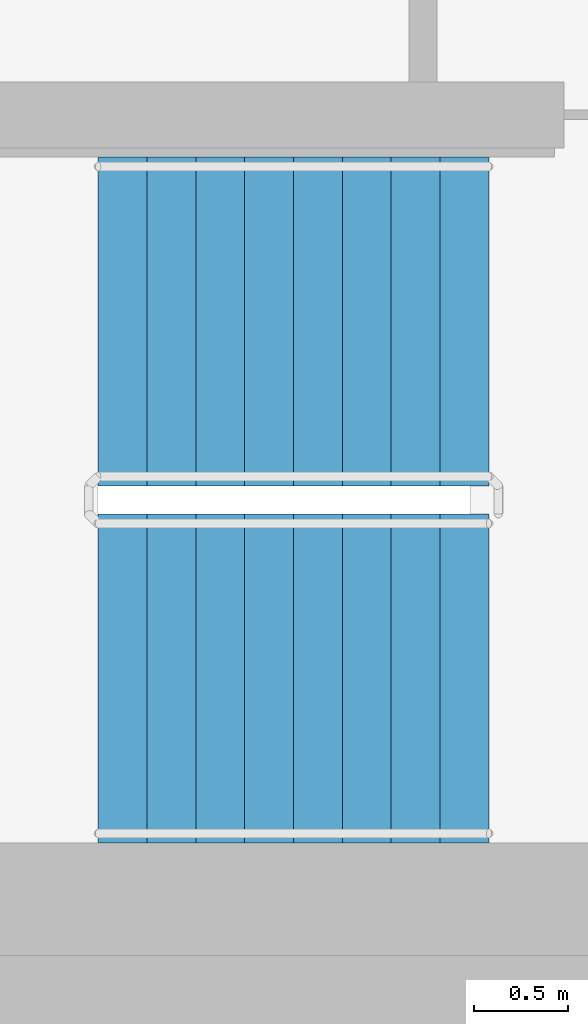
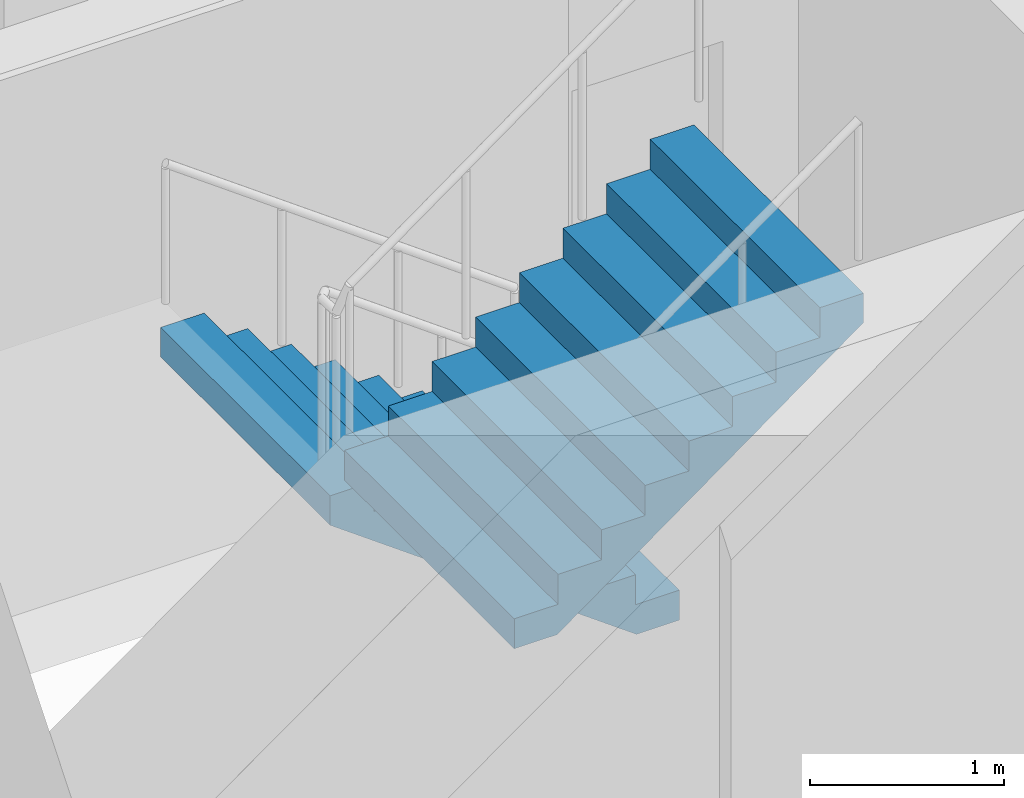
# One storey, part 12 of 18: 2 stair flights, 1 element without a shape of its own.
"""IFC4 building model written with IfcOpenShell, lengths in metres."""

from ifc_helpers import new_model, si_unit, direction, frame, origin, place, context, subcontext, project, spatial, faceted_brep, material, type_object, element, aggregate, save


model = new_model("IFC4")

# Units and contexts
model_context = context("Model", 3, precision=1e-05, world=origin(), true_north=direction((0.0, 1.0)))
body_context = subcontext(model_context, "Body", "Model", "MODEL_VIEW")
ifc_project = project(units=[si_unit("LENGTHUNIT", "METRE"), si_unit("AREAUNIT", "SQUARE_METRE"), si_unit("VOLUMEUNIT", "CUBIC_METRE"), si_unit("PLANEANGLEUNIT", "RADIAN"), si_unit("MASSUNIT", "GRAM", prefix="KILO")], contexts=[model_context])

# Site, building, storey
site_placement = place(None, origin())
site = spatial("IfcSite", under=ifc_project, at=site_placement, CompositionType="ELEMENT")
building_placement = place(site_placement, origin())
building = spatial("IfcBuilding", under=site, at=building_placement, Name="Ipe Terrace Towers", CompositionType="ELEMENT")
storey_placement = place(building_placement, frame((0.0, 0.0, 199.39990234375)))
storey = spatial("IfcBuildingStorey", under=building, at=storey_placement, Name="L55", CompositionType="ELEMENT", Elevation=199.39990234375)

# Stair, stair flights
ifc_material_1 = material(Name="Concrete C30/37", Category="concrete")
stair_type = type_object("IfcStairType", Name="Protected exit stair", PredefinedType="HALF_TURN_STAIR", material=ifc_material_1)
stair_placement = place(storey_placement, origin())
stair = element("IfcStair", 1, at=stair_placement, inside=storey, type_object=stair_type, Name="L55 Exit stair T1-C2", PredefinedType="HALF_TURN_STAIR")
ifc_material_2 = material(Name="Concrete C30/37", Category="concrete")
stair_flight_type = type_object("IfcStairFlightType", Name="Exit stair flight 1750", PredefinedType="STRAIGHT", material=ifc_material_2)
stair_flight_1_placement = place(storey_placement, frame((-45.699951171875, -2.77490234375, 0.0), z_axis=(0.0, 0.0, 1.0), x_axis=(-1.0, 0.0, 0.0)))
stair_flight_1 = element("IfcStairFlight", 2, at=stair_flight_1_placement, type_object=stair_flight_type, Name="T1-ST2 flight 1", NumberOfRisers=9, NumberOfTreads=8, PredefinedType="STRAIGHT", RiserHeight=0.188888889, TreadLength=0.26, context=body_context, shape_type="Brep", body=[
    faceted_brep([(0.255126953125, -0.875, 0.0), (2.080078125, -0.875, 1.325927734375), (2.080078125, -0.875, 1.51123046875), (1.820068359375, -0.875, 1.51123046875), (1.820068359375, -0.875, 1.322265625), (1.56005859375, -0.875, 1.322265625), (1.56005859375, -0.875, 1.13330078125), (1.300048828125, -0.875, 1.13330078125), (1.300048828125, -0.875, 0.9443359375), (1.0400390625, -0.875, 0.9443359375), (1.0400390625, -0.875, 0.755615234375), (0.780029296875, -0.875, 0.755615234375), (0.780029296875, -0.875, 0.566650390625), (0.52001953125, -0.875, 0.566650390625), (0.52001953125, -0.875, 0.377685546875), (0.260009765625, -0.875, 0.377685546875), (0.260009765625, -0.875, 0.18896484375), (0.0, -0.875, 0.18896484375), (0.0, -0.875, 0.0), (0.0, 0.875, 0.0), (0.0, 0.875, 0.18896484375), (0.260009765625, 0.875, 0.18896484375), (0.260009765625, 0.875, 0.377685546875), (0.52001953125, 0.875, 0.377685546875), (0.52001953125, 0.875, 0.566650390625), (0.780029296875, 0.875, 0.566650390625), (0.780029296875, 0.875, 0.755615234375), (1.0400390625, 0.875, 0.755615234375), (1.0400390625, 0.875, 0.9443359375), (1.300048828125, 0.875, 0.9443359375), (1.300048828125, 0.875, 1.13330078125), (1.56005859375, 0.875, 1.13330078125), (1.56005859375, 0.875, 1.322265625), (1.820068359375, 0.875, 1.322265625), (1.820068359375, 0.875, 1.51123046875), (2.080078125, 0.875, 1.51123046875), (2.080078125, 0.875, 1.325927734375), (0.255126953125, 0.875, 0.0), (0.0, -0.300048828125, 0.18896484375), (0.0, -0.1201171875, 0.18896484375), (0.0, -0.06005859375, 0.18896484375), (0.0, -0.030029296875, 0.18896484375), (0.0, -0.010009765625, 0.18896484375), (0.0, 0.0, 0.18896484375), (0.0, 0.010009765625, 0.18896484375), (0.0, 0.030029296875, 0.18896484375), (0.0, 0.06005859375, 0.18896484375), (0.0, 0.1201171875, 0.18896484375), (0.0, 0.300048828125, 0.18896484375), (0.0, 0.300048828125, 0.0), (0.0, 0.1201171875, 0.0), (0.0, 0.06005859375, 0.0), (0.0, 0.030029296875, 0.0), (0.0, 0.010009765625, 0.0), (0.0, 0.0, 0.0), (0.0, -0.010009765625, 0.0), (0.0, -0.030029296875, 0.0), (0.0, -0.06005859375, 0.0), (0.0, -0.1201171875, 0.0), (0.0, -0.300048828125, 0.0), (0.260009765625, -0.300048828125, 0.18896484375), (0.260009765625, -0.1201171875, 0.18896484375), (0.260009765625, -0.06005859375, 0.18896484375), (0.260009765625, -0.030029296875, 0.18896484375), (0.260009765625, -0.010009765625, 0.18896484375), (0.260009765625, 0.0, 0.18896484375), (0.260009765625, 0.010009765625, 0.18896484375), (0.260009765625, 0.030029296875, 0.18896484375), (0.260009765625, 0.06005859375, 0.18896484375), (0.260009765625, 0.1201171875, 0.18896484375), (0.260009765625, 0.300048828125, 0.18896484375), (0.260009765625, -0.300048828125, 0.377685546875), (0.260009765625, -0.1201171875, 0.377685546875), (0.260009765625, -0.06005859375, 0.377685546875), (0.260009765625, -0.030029296875, 0.377685546875), (0.260009765625, -0.010009765625, 0.377685546875), (0.260009765625, 0.0, 0.377685546875), (0.260009765625, 0.010009765625, 0.377685546875), (0.260009765625, 0.030029296875, 0.377685546875), (0.260009765625, 0.06005859375, 0.377685546875), (0.260009765625, 0.1201171875, 0.377685546875), (0.260009765625, 0.300048828125, 0.377685546875), (0.52001953125, -0.300048828125, 0.377685546875), (0.52001953125, -0.1201171875, 0.377685546875), (0.52001953125, -0.06005859375, 0.377685546875), (0.52001953125, -0.030029296875, 0.377685546875), (0.52001953125, -0.010009765625, 0.377685546875), (0.52001953125, 0.0, 0.377685546875), (0.52001953125, 0.010009765625, 0.377685546875), (0.52001953125, 0.030029296875, 0.377685546875), (0.52001953125, 0.06005859375, 0.377685546875), (0.52001953125, 0.1201171875, 0.377685546875), (0.52001953125, 0.300048828125, 0.377685546875), (0.52001953125, -0.300048828125, 0.566650390625), (0.52001953125, -0.1201171875, 0.566650390625), (0.52001953125, -0.06005859375, 0.566650390625), (0.52001953125, -0.030029296875, 0.566650390625), (0.52001953125, -0.010009765625, 0.566650390625), (0.52001953125, 0.0, 0.566650390625), (0.52001953125, 0.010009765625, 0.566650390625), (0.52001953125, 0.030029296875, 0.566650390625), (0.52001953125, 0.06005859375, 0.566650390625), (0.52001953125, 0.1201171875, 0.566650390625), (0.52001953125, 0.300048828125, 0.566650390625), (0.780029296875, -0.300048828125, 0.566650390625), (0.780029296875, -0.1201171875, 0.566650390625), (0.780029296875, -0.06005859375, 0.566650390625), (0.780029296875, -0.030029296875, 0.566650390625), (0.780029296875, -0.010009765625, 0.566650390625), (0.780029296875, 0.0, 0.566650390625), (0.780029296875, 0.010009765625, 0.566650390625), (0.780029296875, 0.030029296875, 0.566650390625), (0.780029296875, 0.06005859375, 0.566650390625), (0.780029296875, 0.1201171875, 0.566650390625), (0.780029296875, 0.300048828125, 0.566650390625), (0.780029296875, -0.300048828125, 0.755615234375), (0.780029296875, -0.1201171875, 0.755615234375), (0.780029296875, -0.06005859375, 0.755615234375), (0.780029296875, -0.030029296875, 0.755615234375), (0.780029296875, -0.010009765625, 0.755615234375), (0.780029296875, 0.0, 0.755615234375), (0.780029296875, 0.010009765625, 0.755615234375), (0.780029296875, 0.030029296875, 0.755615234375), (0.780029296875, 0.06005859375, 0.755615234375), (0.780029296875, 0.1201171875, 0.755615234375), (0.780029296875, 0.300048828125, 0.755615234375), (1.0400390625, -0.300048828125, 0.755615234375), (1.0400390625, -0.1201171875, 0.755615234375), (1.0400390625, -0.06005859375, 0.755615234375), (1.0400390625, -0.030029296875, 0.755615234375), (1.0400390625, -0.010009765625, 0.755615234375), (1.0400390625, 0.0, 0.755615234375), (1.0400390625, 0.010009765625, 0.755615234375), (1.0400390625, 0.030029296875, 0.755615234375), (1.0400390625, 0.06005859375, 0.755615234375), (1.0400390625, 0.1201171875, 0.755615234375), (1.0400390625, 0.300048828125, 0.755615234375), (1.0400390625, -0.300048828125, 0.9443359375), (1.0400390625, -0.1201171875, 0.9443359375), (1.0400390625, -0.06005859375, 0.9443359375), (1.0400390625, -0.030029296875, 0.9443359375), (1.0400390625, -0.010009765625, 0.9443359375), (1.0400390625, 0.0, 0.9443359375), (1.0400390625, 0.010009765625, 0.9443359375), (1.0400390625, 0.030029296875, 0.9443359375), (1.0400390625, 0.06005859375, 0.9443359375), (1.0400390625, 0.1201171875, 0.9443359375), (1.0400390625, 0.300048828125, 0.9443359375), (1.300048828125, -0.300048828125, 0.9443359375), (1.300048828125, -0.1201171875, 0.9443359375), (1.300048828125, -0.06005859375, 0.9443359375), (1.300048828125, -0.030029296875, 0.9443359375), (1.300048828125, -0.010009765625, 0.9443359375), (1.300048828125, 0.0, 0.9443359375), (1.300048828125, 0.010009765625, 0.9443359375), (1.300048828125, 0.030029296875, 0.9443359375), (1.300048828125, 0.06005859375, 0.9443359375), (1.300048828125, 0.1201171875, 0.9443359375), (1.300048828125, 0.300048828125, 0.9443359375), (1.300048828125, -0.300048828125, 1.13330078125), (1.300048828125, -0.1201171875, 1.13330078125), (1.300048828125, -0.06005859375, 1.13330078125), (1.300048828125, -0.030029296875, 1.13330078125), (1.300048828125, -0.010009765625, 1.13330078125), (1.300048828125, 0.0, 1.13330078125), (1.300048828125, 0.010009765625, 1.13330078125), (1.300048828125, 0.030029296875, 1.13330078125), (1.300048828125, 0.06005859375, 1.13330078125), (1.300048828125, 0.1201171875, 1.13330078125), (1.300048828125, 0.300048828125, 1.13330078125), (1.56005859375, -0.300048828125, 1.13330078125), (1.56005859375, -0.1201171875, 1.13330078125), (1.56005859375, -0.06005859375, 1.13330078125), (1.56005859375, -0.030029296875, 1.13330078125), (1.56005859375, -0.010009765625, 1.13330078125), (1.56005859375, 0.0, 1.13330078125), (1.56005859375, 0.010009765625, 1.13330078125), (1.56005859375, 0.030029296875, 1.13330078125), (1.56005859375, 0.06005859375, 1.13330078125), (1.56005859375, 0.1201171875, 1.13330078125), (1.56005859375, 0.300048828125, 1.13330078125), (1.56005859375, -0.300048828125, 1.322265625), (1.56005859375, -0.1201171875, 1.322265625), (1.56005859375, -0.06005859375, 1.322265625), (1.56005859375, -0.030029296875, 1.322265625), (1.56005859375, -0.010009765625, 1.322265625), (1.56005859375, 0.0, 1.322265625), (1.56005859375, 0.010009765625, 1.322265625), (1.56005859375, 0.030029296875, 1.322265625), (1.56005859375, 0.06005859375, 1.322265625), (1.56005859375, 0.1201171875, 1.322265625), (1.56005859375, 0.300048828125, 1.322265625), (1.820068359375, -0.300048828125, 1.322265625), (1.820068359375, -0.1201171875, 1.322265625), (1.820068359375, -0.06005859375, 1.322265625), (1.820068359375, -0.030029296875, 1.322265625), (1.820068359375, -0.010009765625, 1.322265625), (1.820068359375, 0.0, 1.322265625), (1.820068359375, 0.010009765625, 1.322265625), (1.820068359375, 0.030029296875, 1.322265625), (1.820068359375, 0.06005859375, 1.322265625), (1.820068359375, 0.1201171875, 1.322265625), (1.820068359375, 0.300048828125, 1.322265625), (1.820068359375, -0.300048828125, 1.51123046875), (1.820068359375, -0.1201171875, 1.51123046875), (1.820068359375, -0.06005859375, 1.51123046875), (1.820068359375, -0.030029296875, 1.51123046875), (1.820068359375, -0.010009765625, 1.51123046875), (1.820068359375, 0.0, 1.51123046875), (1.820068359375, 0.010009765625, 1.51123046875), (1.820068359375, 0.030029296875, 1.51123046875), (1.820068359375, 0.06005859375, 1.51123046875), (1.820068359375, 0.1201171875, 1.51123046875), (1.820068359375, 0.300048828125, 1.51123046875), (2.080078125, -0.300048828125, 1.51123046875), (2.080078125, -0.1201171875, 1.51123046875), (2.080078125, -0.06005859375, 1.51123046875), (2.080078125, -0.030029296875, 1.51123046875), (2.080078125, -0.010009765625, 1.51123046875), (2.080078125, 0.0, 1.51123046875), (2.080078125, 0.010009765625, 1.51123046875), (2.080078125, 0.030029296875, 1.51123046875), (2.080078125, 0.06005859375, 1.51123046875), (2.080078125, 0.1201171875, 1.51123046875), (2.080078125, 0.300048828125, 1.51123046875), (2.080078125, -0.300048828125, 1.325927734375), (2.080078125, -0.1201171875, 1.325927734375), (2.080078125, -0.06005859375, 1.325927734375), (2.080078125, -0.030029296875, 1.325927734375), (2.080078125, -0.010009765625, 1.325927734375), (2.080078125, 0.0, 1.325927734375), (2.080078125, 0.010009765625, 1.325927734375), (2.080078125, 0.030029296875, 1.325927734375), (2.080078125, 0.06005859375, 1.325927734375), (2.080078125, 0.1201171875, 1.325927734375), (2.080078125, 0.300048828125, 1.325927734375), (0.255126953125, -0.300048828125, 0.0), (0.255126953125, -0.1201171875, 0.0), (0.255126953125, -0.06005859375, 0.0), (0.255126953125, -0.030029296875, 0.0), (0.255126953125, -0.010009765625, 0.0), (0.255126953125, 0.0, 0.0), (0.255126953125, 0.010009765625, 0.0), (0.255126953125, 0.030029296875, 0.0), (0.255126953125, 0.06005859375, 0.0), (0.255126953125, 0.1201171875, 0.0), (0.255126953125, 0.300048828125, 0.0)], [[[0, 1, 2, 3, 4, 5, 6, 7, 8, 9, 10, 11, 12, 13, 14, 15, 16, 17, 18]], [[19, 20, 21, 22, 23, 24, 25, 26, 27, 28, 29, 30, 31, 32, 33, 34, 35, 36, 37]], [[17, 38, 39, 40, 41, 42, 43, 44, 45, 46, 47, 48, 20, 19, 49, 50, 51, 52, 53, 54, 55, 56, 57, 58, 59, 18]], [[16, 60, 61, 62, 63, 64, 65, 66, 67, 68, 69, 70, 21, 20, 48, 47, 46, 45, 44, 43, 42, 41, 40, 39, 38, 17]], [[15, 71, 72, 73, 74, 75, 76, 77, 78, 79, 80, 81, 22, 21, 70, 69, 68, 67, 66, 65, 64, 63, 62, 61, 60, 16]], [[14, 82, 83, 84, 85, 86, 87, 88, 89, 90, 91, 92, 23, 22, 81, 80, 79, 78, 77, 76, 75, 74, 73, 72, 71, 15]], [[13, 93, 94, 95, 96, 97, 98, 99, 100, 101, 102, 103, 24, 23, 92, 91, 90, 89, 88, 87, 86, 85, 84, 83, 82, 14]], [[12, 104, 105, 106, 107, 108, 109, 110, 111, 112, 113, 114, 25, 24, 103, 102, 101, 100, 99, 98, 97, 96, 95, 94, 93, 13]], [[11, 115, 116, 117, 118, 119, 120, 121, 122, 123, 124, 125, 26, 25, 114, 113, 112, 111, 110, 109, 108, 107, 106, 105, 104, 12]], [[10, 126, 127, 128, 129, 130, 131, 132, 133, 134, 135, 136, 27, 26, 125, 124, 123, 122, 121, 120, 119, 118, 117, 116, 115, 11]], [[9, 137, 138, 139, 140, 141, 142, 143, 144, 145, 146, 147, 28, 27, 136, 135, 134, 133, 132, 131, 130, 129, 128, 127, 126, 10]], [[8, 148, 149, 150, 151, 152, 153, 154, 155, 156, 157, 158, 29, 28, 147, 146, 145, 144, 143, 142, 141, 140, 139, 138, 137, 9]], [[7, 159, 160, 161, 162, 163, 164, 165, 166, 167, 168, 169, 30, 29, 158, 157, 156, 155, 154, 153, 152, 151, 150, 149, 148, 8]], [[6, 170, 171, 172, 173, 174, 175, 176, 177, 178, 179, 180, 31, 30, 169, 168, 167, 166, 165, 164, 163, 162, 161, 160, 159, 7]], [[5, 181, 182, 183, 184, 185, 186, 187, 188, 189, 190, 191, 32, 31, 180, 179, 178, 177, 176, 175, 174, 173, 172, 171, 170, 6]], [[4, 192, 193, 194, 195, 196, 197, 198, 199, 200, 201, 202, 33, 32, 191, 190, 189, 188, 187, 186, 185, 184, 183, 182, 181, 5]], [[3, 203, 204, 205, 206, 207, 208, 209, 210, 211, 212, 213, 34, 33, 202, 201, 200, 199, 198, 197, 196, 195, 194, 193, 192, 4]], [[2, 214, 215, 216, 217, 218, 219, 220, 221, 222, 223, 224, 35, 34, 213, 212, 211, 210, 209, 208, 207, 206, 205, 204, 203, 3]], [[1, 225, 226, 227, 228, 229, 230, 231, 232, 233, 234, 235, 36, 35, 224, 223, 222, 221, 220, 219, 218, 217, 216, 215, 214, 2]], [[0, 236, 237, 238, 239, 240, 241, 242, 243, 244, 245, 246, 37, 36, 235, 234, 233, 232, 231, 230, 229, 228, 227, 226, 225, 1]], [[18, 59, 58, 57, 56, 55, 54, 53, 52, 51, 50, 49, 19, 37, 246, 245, 244, 243, 242, 241, 240, 239, 238, 237, 236, 0]]]),
])
stair_flight_2_placement = place(storey_placement, frame((-47.780029296875, -4.675048828125, 1.7001953125), z_axis=(0.0, 0.0, 1.0), x_axis=(1.0, 0.0, 0.0)))
stair_flight_2 = element("IfcStairFlight", 3, at=stair_flight_2_placement, type_object=stair_flight_type, Name="T1-ST2 flight 2", NumberOfRisers=9, NumberOfTreads=8, PredefinedType="STRAIGHT", RiserHeight=0.188888889, TreadLength=0.26, context=body_context, shape_type="Brep", body=[
    faceted_brep([(0.255126953125, -0.875, 0.0), (2.080078125, -0.875, 1.325927734375), (2.080078125, -0.875, 1.51123046875), (1.820068359375, -0.875, 1.51123046875), (1.820068359375, -0.875, 1.322265625), (1.56005859375, -0.875, 1.322265625), (1.56005859375, -0.875, 1.13330078125), (1.300048828125, -0.875, 1.13330078125), (1.300048828125, -0.875, 0.9443359375), (1.0400390625, -0.875, 0.9443359375), (1.0400390625, -0.875, 0.755615234375), (0.780029296875, -0.875, 0.755615234375), (0.780029296875, -0.875, 0.566650390625), (0.52001953125, -0.875, 0.566650390625), (0.52001953125, -0.875, 0.377685546875), (0.260009765625, -0.875, 0.377685546875), (0.260009765625, -0.875, 0.18896484375), (0.0, -0.875, 0.18896484375), (0.0, -0.875, 0.0), (0.0, 0.875, 0.0), (0.0, 0.875, 0.18896484375), (0.260009765625, 0.875, 0.18896484375), (0.260009765625, 0.875, 0.377685546875), (0.52001953125, 0.875, 0.377685546875), (0.52001953125, 0.875, 0.566650390625), (0.780029296875, 0.875, 0.566650390625), (0.780029296875, 0.875, 0.755615234375), (1.0400390625, 0.875, 0.755615234375), (1.0400390625, 0.875, 0.9443359375), (1.300048828125, 0.875, 0.9443359375), (1.300048828125, 0.875, 1.13330078125), (1.56005859375, 0.875, 1.13330078125), (1.56005859375, 0.875, 1.322265625), (1.820068359375, 0.875, 1.322265625), (1.820068359375, 0.875, 1.51123046875), (2.080078125, 0.875, 1.51123046875), (2.080078125, 0.875, 1.325927734375), (0.255126953125, 0.875, 0.0), (0.0, -0.300048828125, 0.18896484375), (0.0, -0.1201171875, 0.18896484375), (0.0, -0.06005859375, 0.18896484375), (0.0, -0.030029296875, 0.18896484375), (0.0, -0.010009765625, 0.18896484375), (0.0, 0.0, 0.18896484375), (0.0, 0.010009765625, 0.18896484375), (0.0, 0.030029296875, 0.18896484375), (0.0, 0.06005859375, 0.18896484375), (0.0, 0.1201171875, 0.18896484375), (0.0, 0.300048828125, 0.18896484375), (0.0, 0.300048828125, 0.0), (0.0, 0.1201171875, 0.0), (0.0, 0.06005859375, 0.0), (0.0, 0.030029296875, 0.0), (0.0, 0.010009765625, 0.0), (0.0, 0.0, 0.0), (0.0, -0.010009765625, 0.0), (0.0, -0.030029296875, 0.0), (0.0, -0.06005859375, 0.0), (0.0, -0.1201171875, 0.0), (0.0, -0.300048828125, 0.0), (0.260009765625, -0.300048828125, 0.18896484375), (0.260009765625, -0.1201171875, 0.18896484375), (0.260009765625, -0.06005859375, 0.18896484375), (0.260009765625, -0.030029296875, 0.18896484375), (0.260009765625, -0.010009765625, 0.18896484375), (0.260009765625, 0.0, 0.18896484375), (0.260009765625, 0.010009765625, 0.18896484375), (0.260009765625, 0.030029296875, 0.18896484375), (0.260009765625, 0.06005859375, 0.18896484375), (0.260009765625, 0.1201171875, 0.18896484375), (0.260009765625, 0.300048828125, 0.18896484375), (0.260009765625, -0.300048828125, 0.377685546875), (0.260009765625, -0.1201171875, 0.377685546875), (0.260009765625, -0.06005859375, 0.377685546875), (0.260009765625, -0.030029296875, 0.377685546875), (0.260009765625, -0.010009765625, 0.377685546875), (0.260009765625, 0.0, 0.377685546875), (0.260009765625, 0.010009765625, 0.377685546875), (0.260009765625, 0.030029296875, 0.377685546875), (0.260009765625, 0.06005859375, 0.377685546875), (0.260009765625, 0.1201171875, 0.377685546875), (0.260009765625, 0.300048828125, 0.377685546875), (0.52001953125, -0.300048828125, 0.377685546875), (0.52001953125, -0.1201171875, 0.377685546875), (0.52001953125, -0.06005859375, 0.377685546875), (0.52001953125, -0.030029296875, 0.377685546875), (0.52001953125, -0.010009765625, 0.377685546875), (0.52001953125, 0.0, 0.377685546875), (0.52001953125, 0.010009765625, 0.377685546875), (0.52001953125, 0.030029296875, 0.377685546875), (0.52001953125, 0.06005859375, 0.377685546875), (0.52001953125, 0.1201171875, 0.377685546875), (0.52001953125, 0.300048828125, 0.377685546875), (0.52001953125, -0.300048828125, 0.566650390625), (0.52001953125, -0.1201171875, 0.566650390625), (0.52001953125, -0.06005859375, 0.566650390625), (0.52001953125, -0.030029296875, 0.566650390625), (0.52001953125, -0.010009765625, 0.566650390625), (0.52001953125, 0.0, 0.566650390625), (0.52001953125, 0.010009765625, 0.566650390625), (0.52001953125, 0.030029296875, 0.566650390625), (0.52001953125, 0.06005859375, 0.566650390625), (0.52001953125, 0.1201171875, 0.566650390625), (0.52001953125, 0.300048828125, 0.566650390625), (0.780029296875, -0.300048828125, 0.566650390625), (0.780029296875, -0.1201171875, 0.566650390625), (0.780029296875, -0.06005859375, 0.566650390625), (0.780029296875, -0.030029296875, 0.566650390625), (0.780029296875, -0.010009765625, 0.566650390625), (0.780029296875, 0.0, 0.566650390625), (0.780029296875, 0.010009765625, 0.566650390625), (0.780029296875, 0.030029296875, 0.566650390625), (0.780029296875, 0.06005859375, 0.566650390625), (0.780029296875, 0.1201171875, 0.566650390625), (0.780029296875, 0.300048828125, 0.566650390625), (0.780029296875, -0.300048828125, 0.755615234375), (0.780029296875, -0.1201171875, 0.755615234375), (0.780029296875, -0.06005859375, 0.755615234375), (0.780029296875, -0.030029296875, 0.755615234375), (0.780029296875, -0.010009765625, 0.755615234375), (0.780029296875, 0.0, 0.755615234375), (0.780029296875, 0.010009765625, 0.755615234375), (0.780029296875, 0.030029296875, 0.755615234375), (0.780029296875, 0.06005859375, 0.755615234375), (0.780029296875, 0.1201171875, 0.755615234375), (0.780029296875, 0.300048828125, 0.755615234375), (1.0400390625, -0.300048828125, 0.755615234375), (1.0400390625, -0.1201171875, 0.755615234375), (1.0400390625, -0.06005859375, 0.755615234375), (1.0400390625, -0.030029296875, 0.755615234375), (1.0400390625, -0.010009765625, 0.755615234375), (1.0400390625, 0.0, 0.755615234375), (1.0400390625, 0.010009765625, 0.755615234375), (1.0400390625, 0.030029296875, 0.755615234375), (1.0400390625, 0.06005859375, 0.755615234375), (1.0400390625, 0.1201171875, 0.755615234375), (1.0400390625, 0.300048828125, 0.755615234375), (1.0400390625, -0.300048828125, 0.9443359375), (1.0400390625, -0.1201171875, 0.9443359375), (1.0400390625, -0.06005859375, 0.9443359375), (1.0400390625, -0.030029296875, 0.9443359375), (1.0400390625, -0.010009765625, 0.9443359375), (1.0400390625, 0.0, 0.9443359375), (1.0400390625, 0.010009765625, 0.9443359375), (1.0400390625, 0.030029296875, 0.9443359375), (1.0400390625, 0.06005859375, 0.9443359375), (1.0400390625, 0.1201171875, 0.9443359375), (1.0400390625, 0.300048828125, 0.9443359375), (1.300048828125, -0.300048828125, 0.9443359375), (1.300048828125, -0.1201171875, 0.9443359375), (1.300048828125, -0.06005859375, 0.9443359375), (1.300048828125, -0.030029296875, 0.9443359375), (1.300048828125, -0.010009765625, 0.9443359375), (1.300048828125, 0.0, 0.9443359375), (1.300048828125, 0.010009765625, 0.9443359375), (1.300048828125, 0.030029296875, 0.9443359375), (1.300048828125, 0.06005859375, 0.9443359375), (1.300048828125, 0.1201171875, 0.9443359375), (1.300048828125, 0.300048828125, 0.9443359375), (1.300048828125, -0.300048828125, 1.13330078125), (1.300048828125, -0.1201171875, 1.13330078125), (1.300048828125, -0.06005859375, 1.13330078125), (1.300048828125, -0.030029296875, 1.13330078125), (1.300048828125, -0.010009765625, 1.13330078125), (1.300048828125, 0.0, 1.13330078125), (1.300048828125, 0.010009765625, 1.13330078125), (1.300048828125, 0.030029296875, 1.13330078125), (1.300048828125, 0.06005859375, 1.13330078125), (1.300048828125, 0.1201171875, 1.13330078125), (1.300048828125, 0.300048828125, 1.13330078125), (1.56005859375, -0.300048828125, 1.13330078125), (1.56005859375, -0.1201171875, 1.13330078125), (1.56005859375, -0.06005859375, 1.13330078125), (1.56005859375, -0.030029296875, 1.13330078125), (1.56005859375, -0.010009765625, 1.13330078125), (1.56005859375, 0.0, 1.13330078125), (1.56005859375, 0.010009765625, 1.13330078125), (1.56005859375, 0.030029296875, 1.13330078125), (1.56005859375, 0.06005859375, 1.13330078125), (1.56005859375, 0.1201171875, 1.13330078125), (1.56005859375, 0.300048828125, 1.13330078125), (1.56005859375, -0.300048828125, 1.322265625), (1.56005859375, -0.1201171875, 1.322265625), (1.56005859375, -0.06005859375, 1.322265625), (1.56005859375, -0.030029296875, 1.322265625), (1.56005859375, -0.010009765625, 1.322265625), (1.56005859375, 0.0, 1.322265625), (1.56005859375, 0.010009765625, 1.322265625), (1.56005859375, 0.030029296875, 1.322265625), (1.56005859375, 0.06005859375, 1.322265625), (1.56005859375, 0.1201171875, 1.322265625), (1.56005859375, 0.300048828125, 1.322265625), (1.820068359375, -0.300048828125, 1.322265625), (1.820068359375, -0.1201171875, 1.322265625), (1.820068359375, -0.06005859375, 1.322265625), (1.820068359375, -0.030029296875, 1.322265625), (1.820068359375, -0.010009765625, 1.322265625), (1.820068359375, 0.0, 1.322265625), (1.820068359375, 0.010009765625, 1.322265625), (1.820068359375, 0.030029296875, 1.322265625), (1.820068359375, 0.06005859375, 1.322265625), (1.820068359375, 0.1201171875, 1.322265625), (1.820068359375, 0.300048828125, 1.322265625), (1.820068359375, -0.300048828125, 1.51123046875), (1.820068359375, -0.1201171875, 1.51123046875), (1.820068359375, -0.06005859375, 1.51123046875), (1.820068359375, -0.030029296875, 1.51123046875), (1.820068359375, -0.010009765625, 1.51123046875), (1.820068359375, 0.0, 1.51123046875), (1.820068359375, 0.010009765625, 1.51123046875), (1.820068359375, 0.030029296875, 1.51123046875), (1.820068359375, 0.06005859375, 1.51123046875), (1.820068359375, 0.1201171875, 1.51123046875), (1.820068359375, 0.300048828125, 1.51123046875), (2.080078125, -0.300048828125, 1.51123046875), (2.080078125, -0.1201171875, 1.51123046875), (2.080078125, -0.06005859375, 1.51123046875), (2.080078125, -0.030029296875, 1.51123046875), (2.080078125, -0.010009765625, 1.51123046875), (2.080078125, 0.0, 1.51123046875), (2.080078125, 0.010009765625, 1.51123046875), (2.080078125, 0.030029296875, 1.51123046875), (2.080078125, 0.06005859375, 1.51123046875), (2.080078125, 0.1201171875, 1.51123046875), (2.080078125, 0.300048828125, 1.51123046875), (2.080078125, -0.300048828125, 1.325927734375), (2.080078125, -0.1201171875, 1.325927734375), (2.080078125, -0.06005859375, 1.325927734375), (2.080078125, -0.030029296875, 1.325927734375), (2.080078125, -0.010009765625, 1.325927734375), (2.080078125, 0.0, 1.325927734375), (2.080078125, 0.010009765625, 1.325927734375), (2.080078125, 0.030029296875, 1.325927734375), (2.080078125, 0.06005859375, 1.325927734375), (2.080078125, 0.1201171875, 1.325927734375), (2.080078125, 0.300048828125, 1.325927734375), (0.255126953125, -0.300048828125, 0.0), (0.255126953125, -0.1201171875, 0.0), (0.255126953125, -0.06005859375, 0.0), (0.255126953125, -0.030029296875, 0.0), (0.255126953125, -0.010009765625, 0.0), (0.255126953125, 0.0, 0.0), (0.255126953125, 0.010009765625, 0.0), (0.255126953125, 0.030029296875, 0.0), (0.255126953125, 0.06005859375, 0.0), (0.255126953125, 0.1201171875, 0.0), (0.255126953125, 0.300048828125, 0.0)], [[[0, 1, 2, 3, 4, 5, 6, 7, 8, 9, 10, 11, 12, 13, 14, 15, 16, 17, 18]], [[19, 20, 21, 22, 23, 24, 25, 26, 27, 28, 29, 30, 31, 32, 33, 34, 35, 36, 37]], [[17, 38, 39, 40, 41, 42, 43, 44, 45, 46, 47, 48, 20, 19, 49, 50, 51, 52, 53, 54, 55, 56, 57, 58, 59, 18]], [[16, 60, 61, 62, 63, 64, 65, 66, 67, 68, 69, 70, 21, 20, 48, 47, 46, 45, 44, 43, 42, 41, 40, 39, 38, 17]], [[15, 71, 72, 73, 74, 75, 76, 77, 78, 79, 80, 81, 22, 21, 70, 69, 68, 67, 66, 65, 64, 63, 62, 61, 60, 16]], [[14, 82, 83, 84, 85, 86, 87, 88, 89, 90, 91, 92, 23, 22, 81, 80, 79, 78, 77, 76, 75, 74, 73, 72, 71, 15]], [[13, 93, 94, 95, 96, 97, 98, 99, 100, 101, 102, 103, 24, 23, 92, 91, 90, 89, 88, 87, 86, 85, 84, 83, 82, 14]], [[12, 104, 105, 106, 107, 108, 109, 110, 111, 112, 113, 114, 25, 24, 103, 102, 101, 100, 99, 98, 97, 96, 95, 94, 93, 13]], [[11, 115, 116, 117, 118, 119, 120, 121, 122, 123, 124, 125, 26, 25, 114, 113, 112, 111, 110, 109, 108, 107, 106, 105, 104, 12]], [[10, 126, 127, 128, 129, 130, 131, 132, 133, 134, 135, 136, 27, 26, 125, 124, 123, 122, 121, 120, 119, 118, 117, 116, 115, 11]], [[9, 137, 138, 139, 140, 141, 142, 143, 144, 145, 146, 147, 28, 27, 136, 135, 134, 133, 132, 131, 130, 129, 128, 127, 126, 10]], [[8, 148, 149, 150, 151, 152, 153, 154, 155, 156, 157, 158, 29, 28, 147, 146, 145, 144, 143, 142, 141, 140, 139, 138, 137, 9]], [[7, 159, 160, 161, 162, 163, 164, 165, 166, 167, 168, 169, 30, 29, 158, 157, 156, 155, 154, 153, 152, 151, 150, 149, 148, 8]], [[6, 170, 171, 172, 173, 174, 175, 176, 177, 178, 179, 180, 31, 30, 169, 168, 167, 166, 165, 164, 163, 162, 161, 160, 159, 7]], [[5, 181, 182, 183, 184, 185, 186, 187, 188, 189, 190, 191, 32, 31, 180, 179, 178, 177, 176, 175, 174, 173, 172, 171, 170, 6]], [[4, 192, 193, 194, 195, 196, 197, 198, 199, 200, 201, 202, 33, 32, 191, 190, 189, 188, 187, 186, 185, 184, 183, 182, 181, 5]], [[3, 203, 204, 205, 206, 207, 208, 209, 210, 211, 212, 213, 34, 33, 202, 201, 200, 199, 198, 197, 196, 195, 194, 193, 192, 4]], [[2, 214, 215, 216, 217, 218, 219, 220, 221, 222, 223, 224, 35, 34, 213, 212, 211, 210, 209, 208, 207, 206, 205, 204, 203, 3]], [[1, 225, 226, 227, 228, 229, 230, 231, 232, 233, 234, 235, 36, 35, 224, 223, 222, 221, 220, 219, 218, 217, 216, 215, 214, 2]], [[0, 236, 237, 238, 239, 240, 241, 242, 243, 244, 245, 246, 37, 36, 235, 234, 233, 232, 231, 230, 229, 228, 227, 226, 225, 1]], [[18, 59, 58, 57, 56, 55, 54, 53, 52, 51, 50, 49, 19, 37, 246, 245, 244, 243, 242, 241, 240, 239, 238, 237, 236, 0]]]),
])
aggregate(stair, [stair_flight_1, stair_flight_2])

save(model, "model.ifc")
